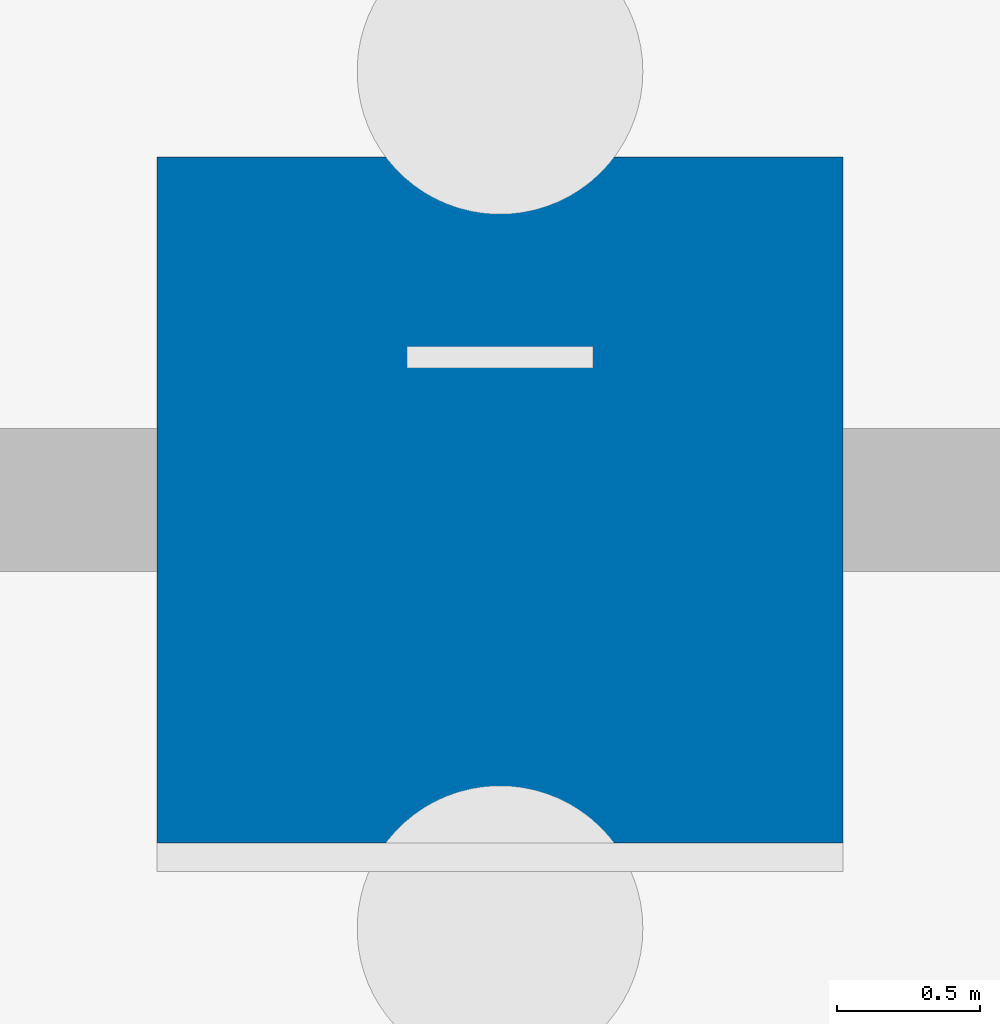
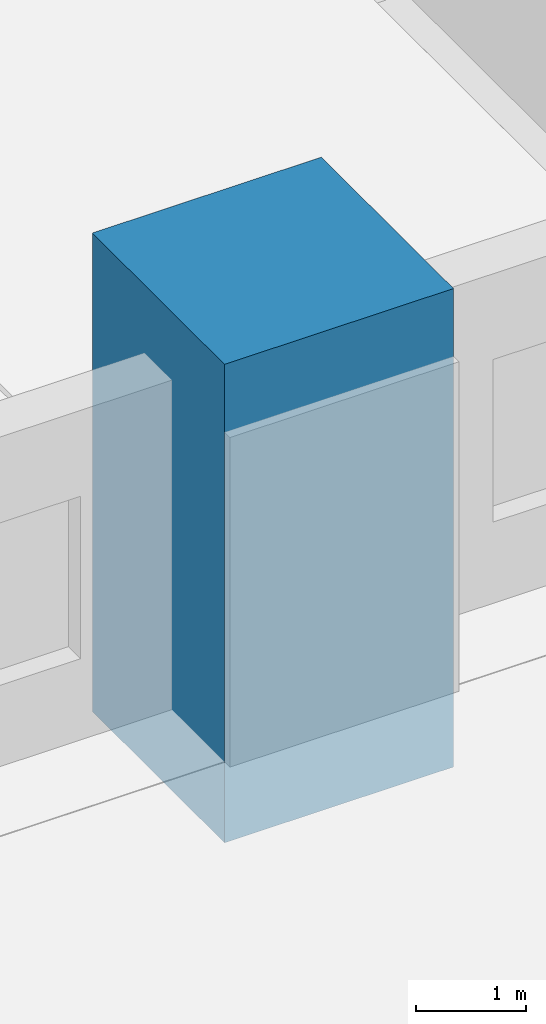
# One storey, part 9 of 139: 1 column.
"""IFC4 building model written with IfcOpenShell, lengths in metres."""

from ifc_helpers import new_model, si_unit, direction, frame, origin, origin_2d, place, context, subcontext, project, spatial, rectangle, extrude, material, material_profile, profile_set, type_object, element, save


model = new_model("IFC4")

# Units and contexts
model_context = context("Model", 3, precision=1e-05, world=origin(), true_north=direction((0.0, 1.0)))
body_context = subcontext(model_context, "Body", "Model", "MODEL_VIEW")
ifc_project = project(units=[si_unit("LENGTHUNIT", "METRE"), si_unit("AREAUNIT", "SQUARE_METRE"), si_unit("VOLUMEUNIT", "CUBIC_METRE"), si_unit("PLANEANGLEUNIT", "RADIAN"), si_unit("MASSUNIT", "GRAM", prefix="KILO")], contexts=[model_context])

# Site, building, storey
site_placement = place(None, origin())
site = spatial("IfcSite", under=ifc_project, at=site_placement, CompositionType="ELEMENT")
building_placement = place(site_placement, origin())
building = spatial("IfcBuilding", under=site, at=building_placement, Name="Verrick Yard Athletic Hall", CompositionType="ELEMENT")
storey_placement = place(building_placement, origin())
storey = spatial("IfcBuildingStorey", under=building, at=storey_placement, Name="L00", CompositionType="ELEMENT", Elevation=0.0)

# Column
ifc_material = material(Name="Concrete 35 MPa", Category="concrete")
ifc_material_profile = material_profile(ifc_material, rectangle(XDim=2.39990234375, YDim=2.39990234375, at=origin_2d()), Name="STR Buttress pier PR1")
ifc_profile_set = profile_set([ifc_material_profile], Name="Concrete 35 MPa")
column_type = type_object("IfcColumnType", Name="STR Buttress pier PR1", PredefinedType="COLUMN", material=ifc_profile_set)
column_placement = place(storey_placement, frame((73.60009765625, 19.199951171875, -0.89990234375), z_axis=(0.0, 0.0, 1.0), x_axis=(1.0, 0.0, 0.0)))
element("IfcColumn", 1, at=column_placement, inside=storey, type_object=column_type, Name="Buttress pier P3A", PredefinedType="COLUMN", context=body_context, shape_type="SweptSolid", body=[
    extrude(rectangle(XDim=2.39990234375, YDim=2.39990234375, at=origin_2d()), origin(), (0.0, 0.0, 1.0), 5.2998046875),
])

save(model, "model.ifc")
